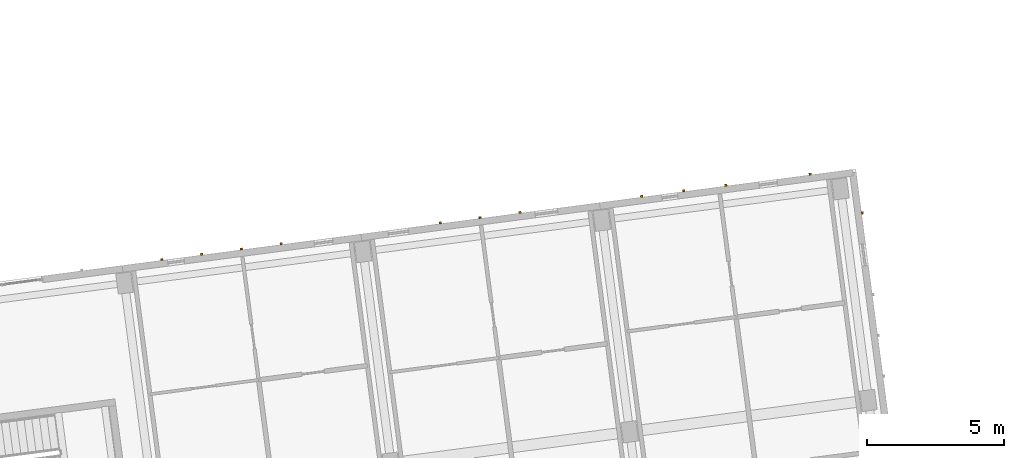
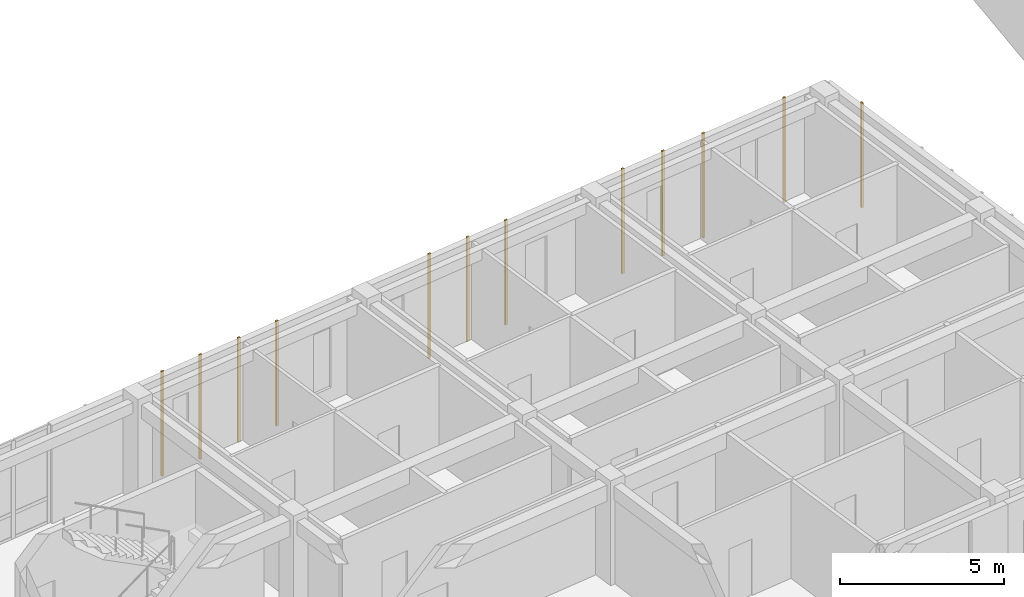
# One storey, part 129 of 150: 12 coverings.
"""IFC4 building model written with IfcOpenShell, lengths in metres."""

from ifc_helpers import new_model, si_unit, direction, frame, origin, origin_2d, place, context, subcontext, project, spatial, rectangle, extrude, material, layer, layer_set, type_object, element, save


model = new_model("IFC4")

# Units and contexts
model_context = context("Model", 3, precision=1e-05, world=origin(), true_north=direction((0.0, 1.0)))
body_context = subcontext(model_context, "Body", "Model", "MODEL_VIEW")
ifc_project = project(units=[si_unit("LENGTHUNIT", "METRE"), si_unit("AREAUNIT", "SQUARE_METRE"), si_unit("VOLUMEUNIT", "CUBIC_METRE"), si_unit("PLANEANGLEUNIT", "RADIAN"), si_unit("MASSUNIT", "GRAM", prefix="KILO")], contexts=[model_context])

# Site, building, storey
site_placement = place(None, origin())
site = spatial("IfcSite", under=ifc_project, at=site_placement, CompositionType="ELEMENT")
building_placement = place(site_placement, origin())
building = spatial("IfcBuilding", under=site, at=building_placement, Name="Kestramere Prow Commons", CompositionType="ELEMENT")
storey_placement = place(building_placement, frame((0.0, 0.0, 4.5)))
storey = spatial("IfcBuildingStorey", under=building, at=storey_placement, Name="L01", CompositionType="ELEMENT", Elevation=4.5)

# Coverings
ifc_material = material(Name="Weathered Zinc-Titanium Standing-Seam Cladding")
ifc_layer = layer(ifc_material, 0.074951171875)
ifc_layer_set = layer_set([ifc_layer], Name="Weathered Zinc-Titanium Standing-Seam Cladding")
covering_type = type_object("IfcCoveringType", Name="COV-CLAD-SEAM", PredefinedType="CLADDING", material=ifc_layer_set)
for number, where, z_axis, x_axis, name in (
    (1, (36.12939453125, 96.137939453125, -0.25), (0.0, 0.0, 1.0), (0.991444861374, 0.13052619222, 0.0), "EW-A-L01-N-3 Standing-Seam Rib 1"),
    (2, (37.58349609375, 96.329345703125, -0.25), (0.0, 0.0, 1.0), (0.991444861374, 0.13052619222, 0.0), "EW-A-L01-N-3 Standing-Seam Rib 2"),
    (3, (39.03759765625, 96.520751953125, -0.25), (0.0, 0.0, 1.0), (0.991444861374, 0.13052619222, 0.0), "EW-A-L01-N-3 Standing-Seam Rib 3"),
    (4, (40.49169921875, 96.712158203125, -0.25), (0.0, 0.0, 1.0), (0.991444861374, 0.13052619222, 0.0), "EW-A-L01-N-3 Standing-Seam Rib 4"),
    (5, (46.30810546875, 97.47802734375, -0.25), (0.0, 0.0, 1.0), (0.991444861374, 0.13052619222, 0.0), "EW-A-L01-N-4 Standing-Seam Rib 2"),
    (6, (47.76220703125, 97.66943359375, -0.25), (0.0, 0.0, 1.0), (0.991444861374, 0.13052619222, 0.0), "EW-A-L01-N-4 Standing-Seam Rib 3"),
    (7, (49.21630859375, 97.86083984375, -0.25), (0.0, 0.0, 1.0), (0.991444861374, 0.13052619222, 0.0), "EW-A-L01-N-4 Standing-Seam Rib 4"),
    (8, (53.66552734375, 98.446533203125, -0.25), (0.0, 0.0, 1.0), (0.991444861374, 0.13052619222, 0.0), "EW-A-L01-N-5 Standing-Seam Rib 1"),
    (9, (55.206298828125, 98.6494140625, -0.25), (0.0, 0.0, 1.0), (0.991444861374, 0.13052619222, 0.0), "EW-A-L01-N-5 Standing-Seam Rib 2"),
    (10, (56.747314453125, 98.852294921875, -0.25), (0.0, 0.0, 1.0), (0.991444861374, 0.13052619222, 0.0), "EW-A-L01-N-5 Standing-Seam Rib 3"),
    (11, (59.828857421875, 99.258056640625, -0.25), (0.0, 0.0, 1.0), (0.991444861374, 0.13052619222, 0.0), "EW-A-L01-N-5 Standing-Seam Rib 5"),
    (12, (61.7373046875, 97.8388671875, -0.25), (0.0, 0.0, 1.0), (0.13052619222, -0.991444861374, 0.0), "EW-A-L01-EAV Standing-Seam Rib 1"),
):
    element("IfcCovering", number, at=place(storey_placement, frame(where, z_axis=z_axis, x_axis=x_axis)), inside=storey, type_object=covering_type, Name=name, PredefinedType="CLADDING", context=body_context, shape_type="SweptSolid", body=[
        extrude(rectangle(XDim=0.0849609375, YDim=0.06494140625, at=origin_2d()), origin(), (0.0, 0.0, 1.0), 3.89990234375),
    ])

save(model, "model.ifc")
